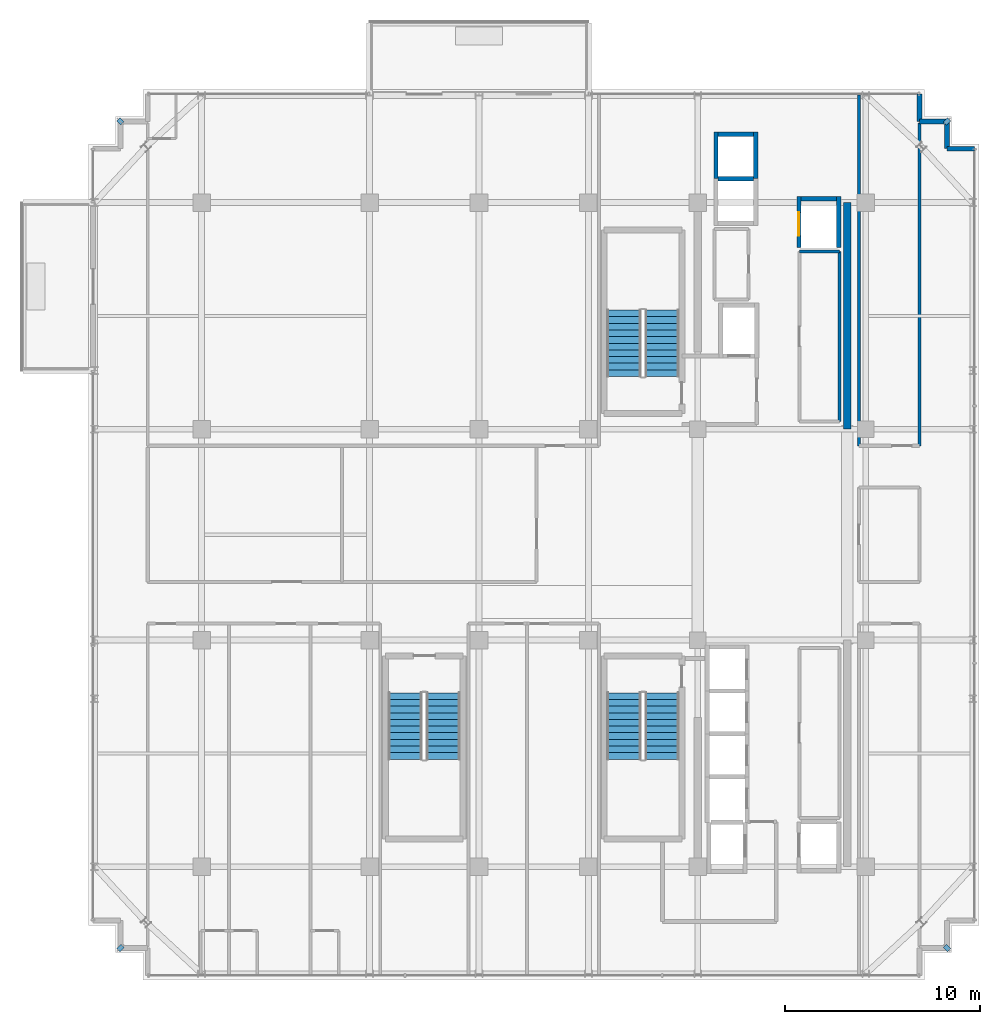
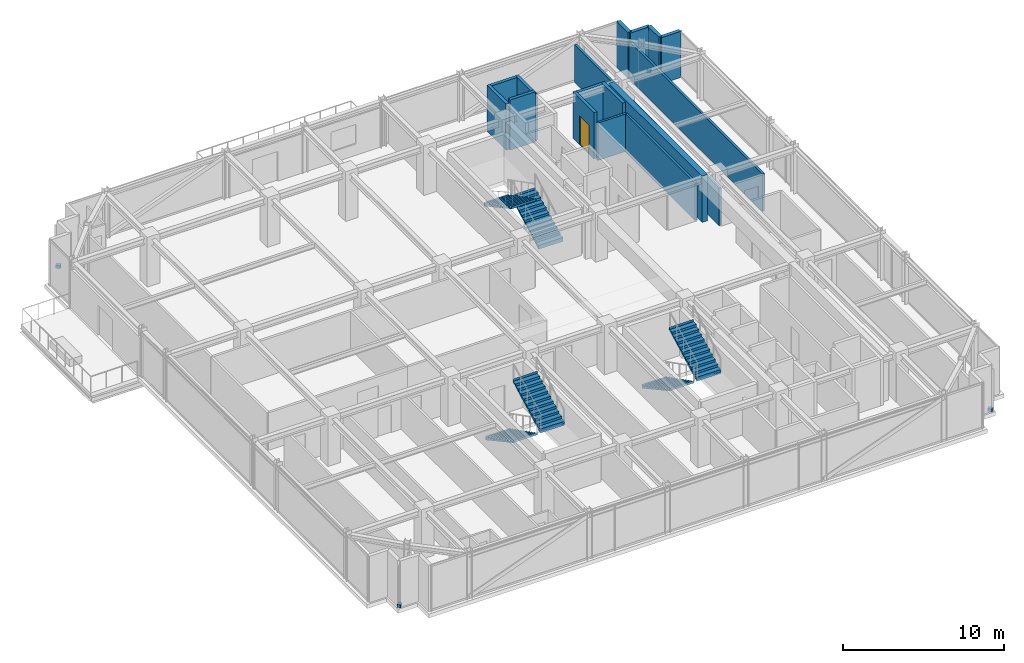
# One storey, part 33 of 36: 16 walls, 6 stair flights, 4 discrete accessories, 1 door, 1 opening, 3 elements without a shape of their own.
"""IFC4 building model written with IfcOpenShell, lengths in metres."""

from ifc_helpers import new_model, si_unit, direction, frame, frame_2d, origin, origin_2d, place, context, subcontext, project, spatial, polyline, rectangle, outline, extrude, source, transform, mapped, material, layer, layer_set, type_object, element, fill, aggregate, save


model = new_model("IFC4")

# Units and contexts
model_context = context("Model", 3, precision=1e-05, world=origin(), true_north=direction((0.0, 1.0)))
body_context = subcontext(model_context, "Body", "Model", "MODEL_VIEW")
ifc_project = project(units=[si_unit("LENGTHUNIT", "METRE"), si_unit("AREAUNIT", "SQUARE_METRE"), si_unit("VOLUMEUNIT", "CUBIC_METRE"), si_unit("PLANEANGLEUNIT", "RADIAN"), si_unit("MASSUNIT", "GRAM", prefix="KILO")], contexts=[model_context])

# Site, building, storey
site_placement = place(None, origin())
site = spatial("IfcSite", under=ifc_project, at=site_placement, CompositionType="ELEMENT")
building_placement = place(site_placement, origin())
building = spatial("IfcBuilding", under=site, at=building_placement, Name="Nahalor Promenade Grand Hotel", CompositionType="ELEMENT")
storey_placement = place(building_placement, frame((0.0, 0.0, 319.550048828125)))
storey = spatial("IfcBuildingStorey", under=building, at=storey_placement, Name="L82", CompositionType="ELEMENT", Elevation=319.550048828125)

# Walls
ifc_material_1 = material(Name="Concrete B-50 (C40/50)", Category="concrete")
ifc_layer_1 = layer(ifc_material_1, 0.39990234375)
ifc_layer_set_1 = layer_set([ifc_layer_1], Name="Concrete B-50 (C40/50)")
wall_type_1 = type_object("IfcWallType", Name="Wall-CoreShear-400", PredefinedType="SHEAR", material=ifc_layer_set_1)
shared_shape_1 = source(origin(), body_context, "Body", "SweptSolid", [
    extrude(rectangle(XDim=11.60009765625, YDim=0.39990234375, at=frame_2d((5.800048828125, 0.0))), origin(), (0.0, 0.0, 1.0), 3.5),
])
wall_1_placement = place(storey_placement, frame((16.050048828125, 5.39990234375, 0.0), z_axis=(0.0, 0.0, 1.0), x_axis=(0.0, 1.0, 0.0)))
element("IfcWall", 1, at=wall_1_placement, inside=storey, type_object=wall_type_1, Name="CWALL-L82-NE", PredefinedType="SHEAR", context=body_context, shape_type="MappedRepresentation", body=[
    mapped(shared_shape_1, transform((0.0, 0.0, 0.0), scale=1.0)),
])
ifc_layer_2 = layer(ifc_material_1, 0.219970703125)
ifc_layer_set_2 = layer_set([ifc_layer_2], Name="Concrete B-50 (C40/50)")
wall_type_2 = type_object("IfcWallType", Name="Wall-LiftShaft-220", PredefinedType="SHEAR", material=ifc_layer_set_2)
shared_shape_2 = source(origin(), body_context, "Body", "SweptSolid", [
    extrude(rectangle(XDim=1.820068359375, YDim=0.219970703125, at=frame_2d((0.91015625, 0.0))), origin(), (0.0, 0.0, 1.0), 3.5),
])
for number, where, z_axis, x_axis, name in (
    (2, (9.43994140625, 20.5, 0.0), (0.0, 0.0, 1.0), (1.0, 0.0, 0.0), "L82 Lift OB2 Hoistway Wall N"),
    (3, (13.68994140625, 17.199951171875, 0.0), (0.0, 0.0, 1.0), (1.0, 0.0, 0.0), "L82 Lift SV1 Hoistway Wall N"),
):
    element("IfcWall", number, at=place(storey_placement, frame(where, z_axis=z_axis, x_axis=x_axis)), inside=storey, type_object=wall_type_2, Name=name, PredefinedType="SHEAR", context=body_context, shape_type="MappedRepresentation", body=[
        mapped(shared_shape_2, transform((0.0, 0.0, 0.0), scale=1.0)),
    ])
shared_shape_3 = source(origin(), body_context, "Body", "SweptSolid", [
    extrude(rectangle(XDim=1.820068359375, YDim=0.219970703125, at=frame_2d((0.91015625, 0.0))), origin(), (0.0, 0.0, 1.0), 3.800048828125),
])
wall_2_placement = place(storey_placement, frame((9.43994140625, 18.22509765625, 0.0), z_axis=(0.0, 0.0, 1.0), x_axis=(1.0, 0.0, 0.0)))
element("IfcWall", 4, at=wall_2_placement, inside=storey, type_object=wall_type_2, Name="L82 Lift OB1 Hoistway Wall N", PredefinedType="SHEAR", context=body_context, shape_type="MappedRepresentation", body=[
    mapped(shared_shape_3, transform((0.0, 0.0, 0.0), scale=1.0)),
])
shared_shape_4 = source(origin(), body_context, "Body", "SweptSolid", [
    extrude(rectangle(XDim=2.385009765625, YDim=0.219970703125, at=frame_2d((1.1923828125, 0.0))), origin(), (0.0, 0.0, 1.0), 3.5),
])
for number, where, z_axis, x_axis, name in (
    (5, (9.330078125, 18.22509765625, 0.0), (0.0, 0.0, 1.0), (0.0, 1.0, 0.0), "L82 Lift OB2 Hoistway Wall W"),
    (6, (11.3701171875, 18.22509765625, 0.0), (0.0, 0.0, 1.0), (0.0, 1.0, 0.0), "L82 Lift OB2 Hoistway Wall E"),
):
    element("IfcWall", number, at=place(storey_placement, frame(where, z_axis=z_axis, x_axis=x_axis)), inside=storey, type_object=wall_type_2, Name=name, PredefinedType="SHEAR", context=body_context, shape_type="MappedRepresentation", body=[
        mapped(shared_shape_4, transform((0.0, 0.0, 0.0), scale=1.0)),
    ])

# Wall, opening, door
shared_shape_5 = source(origin(), body_context, "Body", "SweptSolid", [
    extrude(rectangle(XDim=2.610107421875, YDim=0.219970703125, at=frame_2d((1.30517578125, 0.0))), origin(), (0.0, 0.0, 1.0), 3.5),
])
wall_3_placement = place(storey_placement, frame((13.580078125, 14.699951171875, 0.0), z_axis=(0.0, 0.0, 1.0), x_axis=(0.0, 1.0, 0.0)))
wall_3 = element("IfcWall", 7, at=wall_3_placement, inside=storey, type_object=wall_type_2, Name="L82 Lift SV1 Hoistway Wall W", PredefinedType="SHEAR", context=body_context, shape_type="MappedRepresentation", body=[
    mapped(shared_shape_5, transform((0.0, 0.0, 0.0), scale=1.0)),
])
opening_placement = place(wall_3_placement, frame((0.60009765625, 0.0, 0.0)))
opening = element("IfcOpeningElement", 8, at=opening_placement, cuts=wall_3, Name="Opening LD-03", PredefinedType="OPENING", context=body_context, shape_type="SweptSolid", body=[
    extrude(rectangle(XDim=1.199951171875, YDim=2.199951171875, at=frame_2d((0.60009765625, 1.10009765625))), frame((0.0, 0.119873046875, 0.0), z_axis=(0.0, -1.0, 0.0), x_axis=(1.0, 0.0, 0.0)), (0.0, 0.0, 1.0), 0.239990234375),
])
ifc_material_2 = material(Name="Steel S355JR", Category="steel")
door_type = type_object("IfcDoorType", Name="Door-LiftService-1200", OperationType="DOUBLE_DOOR_SLIDING", PredefinedType="DOOR", material=ifc_material_2)
shared_shape_6 = source(origin(), body_context, "Body", "SweptSolid", [
    extrude(rectangle(XDim=1.199951171875, YDim=2.199951171875, at=frame_2d((0.60009765625, 1.10009765625))), frame((0.0, 0.02490234375, 0.0), z_axis=(0.0, -1.0, 0.0), x_axis=(1.0, 0.0, 0.0)), (0.0, 0.0, 1.0), 0.050048828125),
])
door_placement = place(opening_placement, origin())
door = element("IfcDoor", 9, at=door_placement, inside=storey, type_object=door_type, Name="DR-LIFT-SV1-L82", OperationType="DOUBLE_DOOR_SLIDING", OverallHeight=2.199951171875, OverallWidth=1.199951171875, PredefinedType="DOOR", context=body_context, shape_type="MappedRepresentation", body=[
    mapped(shared_shape_6, transform((0.0, 0.0, 0.0), scale=1.0)),
])
fill(opening, door)

# Walls
wall_4_placement = place(storey_placement, frame((15.6201171875, 14.699951171875, 0.0), z_axis=(0.0, 0.0, 1.0), x_axis=(0.0, 1.0, 0.0)))
element("IfcWall", 10, at=wall_4_placement, inside=storey, type_object=wall_type_2, Name="L82 Lift SV1 Hoistway Wall E", PredefinedType="SHEAR", context=body_context, shape_type="MappedRepresentation", body=[
    mapped(shared_shape_5, transform((0.0, 0.0, 0.0), scale=1.0)),
])
ifc_material_3 = material(Name="Concrete B-40 (C32/40)", Category="concrete")
ifc_layer_3 = layer(ifc_material_3, 0.25)
ifc_layer_set_3 = layer_set([ifc_layer_3], Name="Concrete B-40 (C32/40)")
wall_type_3 = type_object("IfcWallType", Name="Wall-BronzePier-250", PredefinedType="STANDARD", material=ifc_layer_set_3)
shared_shape_7 = source(origin(), body_context, "Body", "SweptSolid", [
    extrude(rectangle(XDim=1.400146484375, YDim=0.25, at=frame_2d((0.7001953125, 0.0))), origin(), (0.0, 0.0, 1.0), 3.5),
])
for number, where, z_axis, x_axis, name in (
    (11, (21.159912109375, 19.760009765625, 0.0), (0.0, 0.0, 1.0), (1.0, 0.0, 0.0), "W-L82-SR-05"),
    (12, (19.760009765625, 21.159912109375, 0.0), (0.0, 0.0, 1.0), (0.0, 1.0, 0.0), "W-L82-SR-08"),
):
    element("IfcWall", number, at=place(storey_placement, frame(where, z_axis=z_axis, x_axis=x_axis)), inside=storey, type_object=wall_type_3, Name=name, PredefinedType="STANDARD", context=body_context, shape_type="MappedRepresentation", body=[
        mapped(shared_shape_7, transform((0.0, 0.0, 0.0), scale=1.0)),
    ])
shared_shape_8 = source(origin(), body_context, "Body", "SweptSolid", [
    extrude(rectangle(XDim=1.39990234375, YDim=0.25, at=frame_2d((0.699951171875, 0.0))), origin(), (0.0, 0.0, 1.0), 3.5),
])
for number, where, z_axis, x_axis, name in (
    (13, (21.159912109375, 19.760009765625, 0.0), (0.0, 0.0, 1.0), (0.0, 1.0, 0.0), "W-L82-SR-06"),
    (14, (19.760009765625, 21.159912109375, 0.0), (0.0, 0.0, 1.0), (1.0, 0.0, 0.0), "W-L82-SR-07"),
):
    element("IfcWall", number, at=place(storey_placement, frame(where, z_axis=z_axis, x_axis=x_axis)), inside=storey, type_object=wall_type_3, Name=name, PredefinedType="STANDARD", context=body_context, shape_type="MappedRepresentation", body=[
        mapped(shared_shape_8, transform((0.0, 0.0, 0.0), scale=1.0)),
    ])
ifc_material_4 = material(Name="Acoustic Mineral Gypsum", Category="gypsum")
ifc_layer_4 = layer(ifc_material_4, 0.159912109375)
ifc_layer_set_4 = layer_set([ifc_layer_4], Name="Acoustic Mineral Gypsum")
wall_type_4 = type_object("IfcWallType", Name="Wall-PartCorridor-160", PredefinedType="PARTITIONING", material=ifc_layer_set_4)
shared_shape_9 = source(origin(), body_context, "Body", "SweptSolid", [
    extrude(rectangle(XDim=2.0498046875, YDim=0.159912109375, at=frame_2d((1.02490234375, 0.0))), origin(), (0.0, 0.0, 1.0), 2.83984375),
])
wall_5_placement = place(storey_placement, frame((13.60009765625, 14.5, 0.0), z_axis=(0.0, 0.0, 1.0), x_axis=(1.0, 0.0, 0.0)))
element("IfcWall", 15, at=wall_5_placement, inside=storey, type_object=wall_type_4, Name="W-L82-FRB1-N", PredefinedType="PARTITIONING", context=body_context, shape_type="MappedRepresentation", body=[
    mapped(shared_shape_9, transform((0.0, 0.0, 0.0), scale=1.0)),
])
shared_shape_10 = source(origin(), body_context, "Body", "SweptSolid", [
    extrude(rectangle(XDim=8.699951171875, YDim=0.159912109375, at=frame_2d((4.35009765625, 0.0))), origin(), (0.0, 0.0, 1.0), 2.83984375),
])
wall_6_placement = place(storey_placement, frame((15.64990234375, 5.800048828125, 0.0), z_axis=(0.0, 0.0, 1.0), x_axis=(0.0, 1.0, 0.0)))
element("IfcWall", 16, at=wall_6_placement, inside=storey, type_object=wall_type_4, Name="W-L82-FRB1-E", PredefinedType="PARTITIONING", context=body_context, shape_type="MappedRepresentation", body=[
    mapped(shared_shape_10, transform((0.0, 0.0, 0.0), scale=1.0)),
])
shared_shape_11 = source(origin(), body_context, "Body", "SweptSolid", [
    extrude(rectangle(XDim=17.949951171875, YDim=0.159912109375, at=frame_2d((8.97509765625, 0.0))), origin(), (0.0, 0.0, 1.0), 2.83984375),
])
wall_7_placement = place(storey_placement, frame((16.64990234375, 4.550048828125, 0.0), z_axis=(0.0, 0.0, 1.0), x_axis=(0.0, 1.0, 0.0)))
element("IfcWall", 17, at=wall_7_placement, inside=storey, type_object=wall_type_4, Name="W-L82-ENE-W", PredefinedType="PARTITIONING", context=body_context, shape_type="MappedRepresentation", body=[
    mapped(shared_shape_11, transform((0.0, 0.0, 0.0), scale=1.0)),
])
shared_shape_12 = source(origin(), body_context, "Body", "SweptSolid", [
    extrude(rectangle(XDim=16.530029296875, YDim=0.159912109375, at=frame_2d((8.26513671875, 0.0))), origin(), (0.0, 0.0, 1.0), 2.83984375),
])
wall_8_placement = place(storey_placement, frame((19.760009765625, 4.550048828125, 0.0), z_axis=(0.0, 0.0, 1.0), x_axis=(0.0, 1.0, 0.0)))
element("IfcWall", 18, at=wall_8_placement, inside=storey, type_object=wall_type_4, Name="W-L82-ENE-E", PredefinedType="PARTITIONING", context=body_context, shape_type="MappedRepresentation", body=[
    mapped(shared_shape_12, transform((0.0, 0.0, 0.0), scale=1.0)),
])

# Stair, stair flights
stair_type_1 = type_object("IfcStairType", Name="Stair-ST1", PredefinedType="HALF_TURN_STAIR", material=ifc_material_1)
stair_1_placement = place(storey_placement, origin())
stair_1 = element("IfcStair", 19, at=stair_1_placement, inside=storey, type_object=stair_type_1, Name="L82 ST1", PredefinedType="HALF_TURN_STAIR")
ifc_layer_5 = layer(ifc_material_1, 0.179931640625)
ifc_layer_set_5 = layer_set([ifc_layer_5], Name="Concrete B-50 (C40/50)")
stair_flight_type_1 = type_object("IfcStairFlightType", Name="Flight-ST1", PredefinedType="STRAIGHT", material=ifc_layer_set_5)
shared_shape_13 = source(origin(), body_context, "Body", "SweptSolid", [
    extrude(outline(polyline([(-0.00390625, -0.1201171875), (-0.00390625, 0.0), (0.0, 0.0), (0.0, 0.172607421875), (0.340087890625, 0.172607421875), (0.340087890625, 0.345458984375), (0.679931640625, 0.345458984375), (0.679931640625, 0.51806640625), (1.02001953125, 0.51806640625), (1.02001953125, 0.69091796875), (1.360107421875, 0.69091796875), (1.360107421875, 0.863525390625), (1.699951171875, 0.863525390625), (1.699951171875, 1.036376953125), (2.0400390625, 1.036376953125), (2.0400390625, 1.208984375), (2.3798828125, 1.208984375), (2.3798828125, 1.3818359375), (2.719970703125, 1.3818359375), (2.719970703125, 1.554443359375), (3.06005859375, 1.554443359375), (3.06005859375, 1.727294921875), (3.39990234375, 1.727294921875), (3.39990234375, 1.89990234375), (3.404052734375, 1.89990234375), (3.404052734375, 1.719970703125), (0.02001953125, -0.1201171875), (-0.00390625, -0.1201171875)])), frame((0.0, 0.875, 0.0), z_axis=(0.0, -1.0, 0.0), x_axis=(1.0, 0.0, 0.0)), (0.0, 0.0, 1.0), 1.75),
])
stair_flight_1_placement = place(storey_placement, frame((6.574951171875, 8.10009765625, 0.0), z_axis=(0.0, 0.0, 1.0), x_axis=(0.0, 1.0, 0.0)))
stair_flight_1 = element("IfcStairFlight", 20, at=stair_flight_1_placement, type_object=stair_flight_type_1, Name="ST1 flight 1", NumberOfRisers=11, NumberOfTreads=10, PredefinedType="STRAIGHT", RiserHeight=0.172727273, TreadLength=0.34, context=body_context, shape_type="MappedRepresentation", body=[
    mapped(shared_shape_13, transform((0.0, 0.0, 0.0), scale=1.0)),
])
stair_flight_2_placement = place(storey_placement, frame((4.625, 11.5, 1.89990234375), z_axis=(0.0, 0.0, 1.0), x_axis=(0.0, -1.0, 0.0)))
stair_flight_2 = element("IfcStairFlight", 21, at=stair_flight_2_placement, type_object=stair_flight_type_1, Name="ST1 flight 2", NumberOfRisers=11, NumberOfTreads=10, PredefinedType="STRAIGHT", RiserHeight=0.172727273, TreadLength=0.34, context=body_context, shape_type="MappedRepresentation", body=[
    mapped(shared_shape_13, transform((0.0, 0.0, 0.0), scale=1.0)),
])
aggregate(stair_1, [stair_flight_1, stair_flight_2])

stair_type_2 = type_object("IfcStairType", Name="Stair-ST2", PredefinedType="HALF_TURN_STAIR", material=ifc_material_1)
stair_2_placement = place(storey_placement, origin())
stair_2 = element("IfcStair", 22, at=stair_2_placement, inside=storey, type_object=stair_type_2, Name="L82 ST2", PredefinedType="HALF_TURN_STAIR")
ifc_layer_6 = layer(ifc_material_1, 0.18994140625)
ifc_layer_set_6 = layer_set([ifc_layer_6], Name="Concrete B-50 (C40/50)")
stair_flight_type_2 = type_object("IfcStairFlightType", Name="Flight-ST2", PredefinedType="STRAIGHT", material=ifc_layer_set_6)
shared_shape_14 = source(origin(), body_context, "Body", "SweptSolid", [
    extrude(outline(polyline([(-0.00390625, -0.1201171875), (-0.00390625, 0.0), (0.0, 0.0), (0.0, 0.172607421875), (0.340087890625, 0.172607421875), (0.340087890625, 0.345458984375), (0.679931640625, 0.345458984375), (0.679931640625, 0.51806640625), (1.02001953125, 0.51806640625), (1.02001953125, 0.69091796875), (1.360107421875, 0.69091796875), (1.360107421875, 0.863525390625), (1.699951171875, 0.863525390625), (1.699951171875, 1.036376953125), (2.0400390625, 1.036376953125), (2.0400390625, 1.208984375), (2.3798828125, 1.208984375), (2.3798828125, 1.3818359375), (2.719970703125, 1.3818359375), (2.719970703125, 1.554443359375), (3.06005859375, 1.554443359375), (3.06005859375, 1.727294921875), (3.39990234375, 1.727294921875), (3.39990234375, 1.89990234375), (3.404052734375, 1.89990234375), (3.404052734375, 1.719970703125), (0.02001953125, -0.1201171875), (-0.00390625, -0.1201171875)])), frame((0.0, 0.875, 0.0), z_axis=(0.0, -1.0, 0.0), x_axis=(1.0, 0.0, 0.0)), (0.0, 0.0, 1.0), 1.75),
])
stair_flight_3_placement = place(storey_placement, frame((4.625, -8.10009765625, 0.0), z_axis=(0.0, 0.0, 1.0), x_axis=(0.0, -1.0, 0.0)))
stair_flight_3 = element("IfcStairFlight", 23, at=stair_flight_3_placement, type_object=stair_flight_type_2, Name="ST2 flight 1", NumberOfRisers=11, NumberOfTreads=10, PredefinedType="STRAIGHT", RiserHeight=0.172727273, TreadLength=0.34, context=body_context, shape_type="MappedRepresentation", body=[
    mapped(shared_shape_14, transform((0.0, 0.0, 0.0), scale=1.0)),
])
stair_flight_4_placement = place(storey_placement, frame((6.574951171875, -11.5, 1.89990234375), z_axis=(0.0, 0.0, 1.0), x_axis=(0.0, 1.0, 0.0)))
stair_flight_4 = element("IfcStairFlight", 24, at=stair_flight_4_placement, type_object=stair_flight_type_2, Name="ST2 flight 2", NumberOfRisers=11, NumberOfTreads=10, PredefinedType="STRAIGHT", RiserHeight=0.172727273, TreadLength=0.34, context=body_context, shape_type="MappedRepresentation", body=[
    mapped(shared_shape_14, transform((0.0, 0.0, 0.0), scale=1.0)),
])
aggregate(stair_2, [stair_flight_3, stair_flight_4])

stair_type_3 = type_object("IfcStairType", Name="Stair-ST3", PredefinedType="HALF_TURN_STAIR", material=ifc_material_1)
stair_3_placement = place(storey_placement, origin())
stair_3 = element("IfcStair", 25, at=stair_3_placement, inside=storey, type_object=stair_type_3, Name="L82 ST3", PredefinedType="HALF_TURN_STAIR")
ifc_layer_7 = layer(ifc_material_1, 0.199951171875)
ifc_layer_set_7 = layer_set([ifc_layer_7], Name="Concrete B-50 (C40/50)")
stair_flight_type_3 = type_object("IfcStairFlightType", Name="Flight-ST3", PredefinedType="STRAIGHT", material=ifc_layer_set_7)
shared_shape_15 = source(origin(), body_context, "Body", "SweptSolid", [
    extrude(outline(polyline([(-0.00390625, -0.1201171875), (-0.00390625, 0.0), (0.0, 0.0), (0.0, 0.172607421875), (0.340087890625, 0.172607421875), (0.340087890625, 0.345458984375), (0.679931640625, 0.345458984375), (0.679931640625, 0.51806640625), (1.02001953125, 0.51806640625), (1.02001953125, 0.69091796875), (1.360107421875, 0.69091796875), (1.360107421875, 0.863525390625), (1.699951171875, 0.863525390625), (1.699951171875, 1.036376953125), (2.0400390625, 1.036376953125), (2.0400390625, 1.208984375), (2.3798828125, 1.208984375), (2.3798828125, 1.3818359375), (2.719970703125, 1.3818359375), (2.719970703125, 1.554443359375), (3.06005859375, 1.554443359375), (3.06005859375, 1.727294921875), (3.39990234375, 1.727294921875), (3.39990234375, 1.89990234375), (3.404052734375, 1.89990234375), (3.404052734375, 1.719970703125), (0.02001953125, -0.1201171875), (-0.00390625, -0.1201171875)])), frame((0.0, 0.875, 0.0), z_axis=(0.0, -1.0, 0.0), x_axis=(1.0, 0.0, 0.0)), (0.0, 0.0, 1.0), 1.75),
])
stair_flight_5_placement = place(storey_placement, frame((-6.574951171875, -8.10009765625, 0.0), z_axis=(0.0, 0.0, 1.0), x_axis=(0.0, -1.0, 0.0)))
stair_flight_5 = element("IfcStairFlight", 26, at=stair_flight_5_placement, type_object=stair_flight_type_3, Name="ST3 flight 1", NumberOfRisers=11, NumberOfTreads=10, PredefinedType="STRAIGHT", RiserHeight=0.172727273, TreadLength=0.34, context=body_context, shape_type="MappedRepresentation", body=[
    mapped(shared_shape_15, transform((0.0, 0.0, 0.0), scale=1.0)),
])
stair_flight_6_placement = place(storey_placement, frame((-4.625, -11.5, 1.89990234375), z_axis=(0.0, 0.0, 1.0), x_axis=(0.0, 1.0, 0.0)))
stair_flight_6 = element("IfcStairFlight", 27, at=stair_flight_6_placement, type_object=stair_flight_type_3, Name="ST3 flight 2", NumberOfRisers=11, NumberOfTreads=10, PredefinedType="STRAIGHT", RiserHeight=0.172727273, TreadLength=0.34, context=body_context, shape_type="MappedRepresentation", body=[
    mapped(shared_shape_15, transform((0.0, 0.0, 0.0), scale=1.0)),
])
aggregate(stair_3, [stair_flight_5, stair_flight_6])

# Discrete accessories
discrete_accessory_type = type_object("IfcDiscreteAccessoryType", Name="Bracket-FacadeCleat-Bronze", PredefinedType="BRACKET", material=ifc_material_2)
shared_shape_16 = source(origin(), body_context, "Body", "SweptSolid", [
    extrude(rectangle(XDim=0.300048828125, YDim=0.239990234375, at=origin_2d()), origin(), (0.0, 0.0, 1.0), 0.219970703125),
])
for number, where, z_axis, x_axis, name in (
    (28, (-21.159912109375, -21.159912109375, 0.0), (0.0, 0.0, 1.0), (0.707106781187, 0.707106781187, 0.0), "BK-L82-SW"),
    (29, (21.159912109375, -21.159912109375, 0.0), (0.0, 0.0, 1.0), (-0.707106781187, 0.707106781187, 0.0), "BK-L82-SE"),
    (30, (21.159912109375, 21.159912109375, 0.0), (0.0, 0.0, 1.0), (0.707106781187, 0.707106781187, 0.0), "BK-L82-NE"),
    (31, (-21.159912109375, 21.159912109375, 0.0), (0.0, 0.0, 1.0), (-0.707106781187, 0.707106781187, 0.0), "BK-L82-NW"),
):
    element("IfcDiscreteAccessory", number, at=place(storey_placement, frame(where, z_axis=z_axis, x_axis=x_axis)), inside=storey, type_object=discrete_accessory_type, Name=name, PredefinedType="BRACKET", context=body_context, shape_type="MappedRepresentation", body=[
        mapped(shared_shape_16, transform((0.0, 0.0, 0.0), scale=1.0)),
    ])

save(model, "model.ifc")
